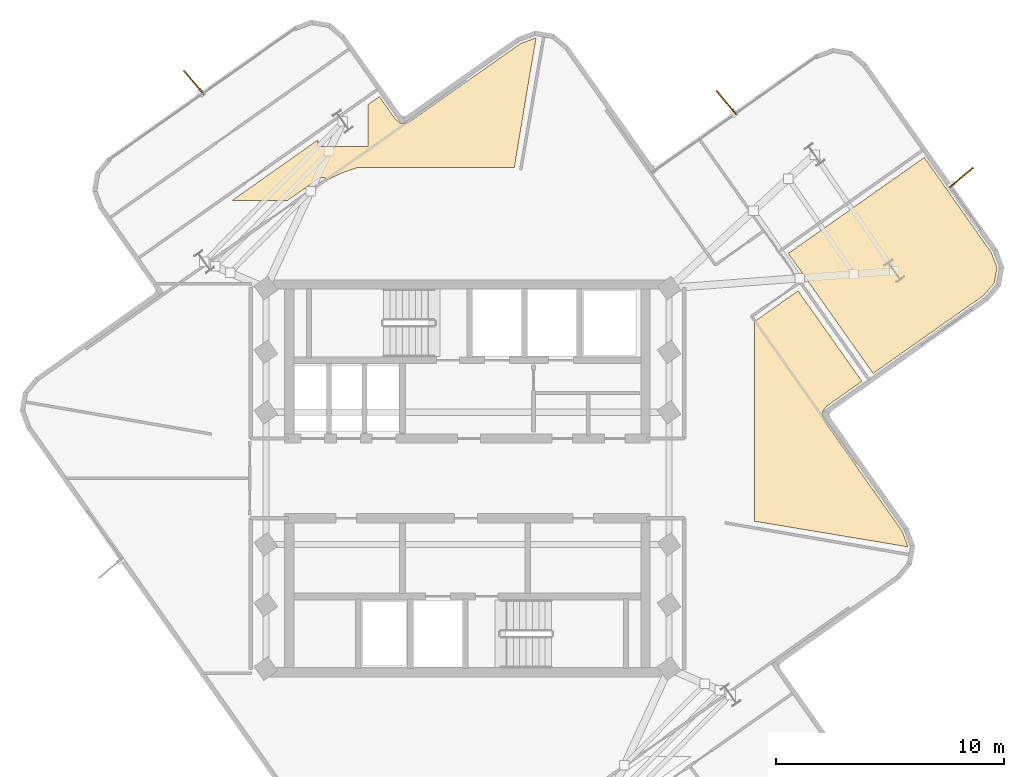
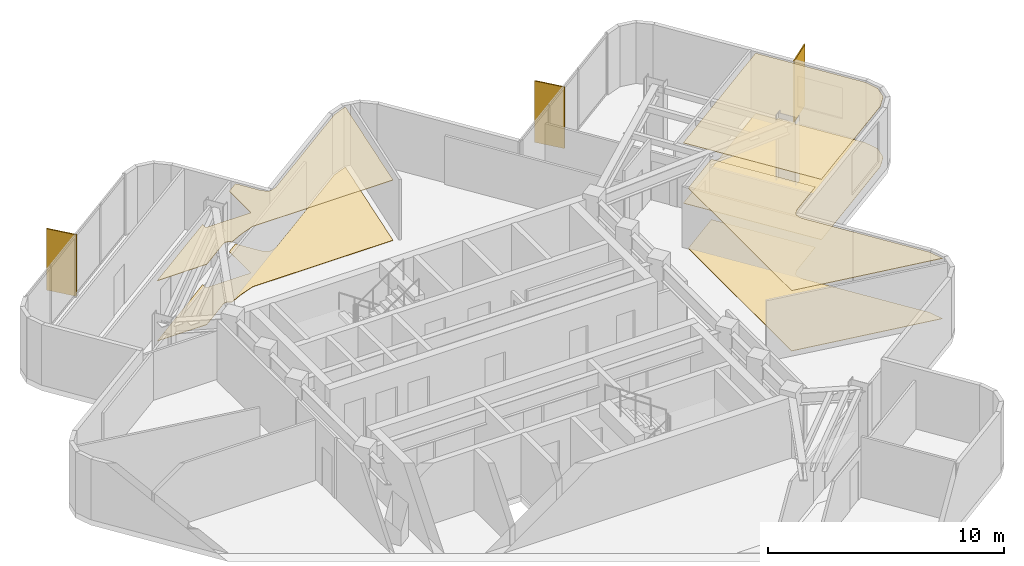
# One storey, part 8 of 8: 6 coverings, 3 shading devices.
"""IFC4 building model written with IfcOpenShell, lengths in metres."""

from ifc_helpers import new_model, si_unit, direction, frame, origin, origin_2d, place, context, subcontext, project, spatial, polyline, rectangle, outline, extrude, material, layer, layer_set, type_object, element, save


model = new_model("IFC4")

# Units and contexts
model_context = context("Model", 3, precision=1e-05, world=origin(), true_north=direction((0.0, 1.0)))
body_context = subcontext(model_context, "Body", "Model", "MODEL_VIEW")
ifc_project = project(units=[si_unit("LENGTHUNIT", "METRE"), si_unit("AREAUNIT", "SQUARE_METRE"), si_unit("VOLUMEUNIT", "CUBIC_METRE"), si_unit("PLANEANGLEUNIT", "RADIAN"), si_unit("MASSUNIT", "GRAM", prefix="KILO")], contexts=[model_context])

# Site, building, storey
site_placement = place(None, origin())
site = spatial("IfcSite", under=ifc_project, at=site_placement, CompositionType="ELEMENT")
building_placement = place(site_placement, origin())
building = spatial("IfcBuilding", under=site, at=building_placement, Name="Solmarez Civic Tower", CompositionType="ELEMENT")
storey_placement = place(building_placement, frame((0.0, 0.0, 225.719970703125)))
storey = spatial("IfcBuildingStorey", under=building, at=storey_placement, Name="L60", CompositionType="ELEMENT", Elevation=225.719970703125)

# Coverings
ifc_material_1 = material(Name="Perforated Mineral-Fibre Acoustic Ceiling")
ifc_layer_1 = layer(ifc_material_1, 0.02490234375)
ifc_layer_set_1 = layer_set([ifc_layer_1], Name="Perforated Mineral-Fibre Acoustic Ceiling")
covering_type_1 = type_object("IfcCoveringType", Name="COV-CEIL-ACOUSTIC", PredefinedType="CEILING", material=ifc_layer_set_1)
covering_1_placement = place(storey_placement, frame((0.0, 0.0, 3.114990234375)))
element("IfcCovering", 1, at=covering_1_placement, inside=storey, type_object=covering_type_1, Name="L60 Suspended Acoustic Ceiling 1", PredefinedType="CEILING", context=body_context, shape_type="SweptSolid", body=[
    extrude(outline(polyline([(-10.323974609375, 12.199951171875), (-7.89404296875, 12.199951171875), (-6.528076171875, 13.1640625), (-6.510009765625, 13.175048828125), (-6.489990234375, 13.18505859375), (-6.48095703125, 13.18896484375), (-6.47412109375, 13.19189453125), (-6.468994140625, 13.194091796875), (-6.448974609375, 13.200927734375), (-6.428955078125, 13.2060546875), (-6.408935546875, 13.208984375), (-6.39892578125, 13.2099609375), (-6.3759765625, 13.2109375), (-6.35302734375, 13.2099609375), (-6.343994140625, 13.208984375), (-6.324951171875, 13.2060546875), (-6.320068359375, 13.205078125), (-6.29296875, 13.197998046875), (-6.283935546875, 13.195068359375), (-6.261962890625, 13.18603515625), (-6.240966796875, 13.175048828125), (-6.236083984375, 13.172119140625), (-6.219970703125, 13.160888671875), (-6.2060546875, 13.14990234375), (-6.198974609375, 13.14404296875), (-6.18603515625, 13.133056640625), (-6.178955078125, 13.1259765625), (-6.1669921875, 13.112060546875), (-6.156005859375, 13.097900390625), (-5.552978515625, 13.384033203125), (-5.532958984375, 13.39208984375), (-4.85107421875, 13.635986328125), (-4.844970703125, 13.637939453125), (-4.818115234375, 13.64501953125), (-4.81298828125, 13.64599609375), (-4.7919921875, 13.64892578125), (-4.77001953125, 13.64990234375), (2.05810546875, 13.64990234375), (3.007080078125, 19.330078125), (3.0, 19.3310546875), (2.3349609375, 19.0869140625), (-2.485107421875, 15.68505859375), (-2.489990234375, 15.681884765625), (-2.49609375, 15.677978515625), (-2.52001953125, 15.6640625), (-2.52587890625, 15.660888671875), (-2.5439453125, 15.653076171875), (-2.56005859375, 15.64794921875), (-2.715087890625, 15.590087890625), (-2.73193359375, 15.583984375), (-2.739013671875, 15.58203125), (-2.74609375, 15.5810546875), (-2.75390625, 15.5791015625), (-2.77587890625, 15.573974609375), (-2.782958984375, 15.572998046875), (-2.81396484375, 15.571044921875), (-2.822021484375, 15.571044921875), (-2.84912109375, 15.572998046875), (-2.861083984375, 15.573974609375), (-2.867919921875, 15.574951171875), (-2.89697265625, 15.5810546875), (-2.904052734375, 15.5830078125), (-2.9208984375, 15.589111328125), (-2.928955078125, 15.592041015625), (-2.949951171875, 15.60107421875), (-2.9560546875, 15.60400390625), (-2.967041015625, 15.610107421875), (-2.97412109375, 15.614013671875), (-2.989990234375, 15.6240234375), (-3.006103515625, 15.635986328125), (-3.011962890625, 15.64111328125), (-3.14404296875, 15.7509765625), (-3.158935546875, 15.763916015625), (-3.1640625, 15.76904296875), (-3.1689453125, 15.77392578125), (-3.18505859375, 15.79296875), (-3.18896484375, 15.798095703125), (-3.197021484375, 15.80810546875), (-3.864990234375, 16.7548828125), (-4.367919921875, 16.40087890625), (-4.367919921875, 14.571044921875), (-6.568115234375, 14.571044921875), (-6.568115234375, 14.84912109375), (-10.323974609375, 12.199951171875)])), origin(), (0.0, 0.0, 1.0), 0.025146484375),
])
covering_2_placement = place(storey_placement, frame((0.0, 0.0, 3.114990234375)))
element("IfcCovering", 2, at=covering_2_placement, inside=storey, type_object=covering_type_1, Name="L60 Suspended Acoustic Ceiling 3", PredefinedType="CEILING", context=body_context, shape_type="SweptSolid", body=[
    extrude(outline(polyline([(12.60009765625, 6.881103515625), (12.60009765625, -1.883056640625), (19.330078125, -3.007080078125), (19.3310546875, -3.0), (19.0869140625, -2.3349609375), (15.68505859375, 2.485107421875), (15.681884765625, 2.489990234375), (15.677978515625, 2.49609375), (15.6640625, 2.52001953125), (15.660888671875, 2.52587890625), (15.653076171875, 2.5439453125), (15.64794921875, 2.56005859375), (15.590087890625, 2.715087890625), (15.583984375, 2.73193359375), (15.58203125, 2.739013671875), (15.5810546875, 2.74609375), (15.5791015625, 2.75390625), (15.573974609375, 2.77587890625), (15.572998046875, 2.782958984375), (15.571044921875, 2.81396484375), (15.571044921875, 2.822021484375), (15.572998046875, 2.84912109375), (15.573974609375, 2.861083984375), (15.574951171875, 2.867919921875), (15.5810546875, 2.89697265625), (15.5830078125, 2.904052734375), (15.589111328125, 2.9208984375), (15.592041015625, 2.928955078125), (15.60107421875, 2.949951171875), (15.60400390625, 2.9560546875), (15.610107421875, 2.967041015625), (15.614013671875, 2.97412109375), (15.6240234375, 2.989990234375), (15.635986328125, 3.006103515625), (15.64111328125, 3.011962890625), (15.7509765625, 3.14404296875), (15.763916015625, 3.158935546875), (15.76904296875, 3.1640625), (15.77392578125, 3.1689453125), (15.79296875, 3.18505859375), (15.798095703125, 3.18896484375), (15.80810546875, 3.197021484375), (17.31103515625, 4.257080078125), (14.510009765625, 8.22802734375), (12.60009765625, 6.881103515625)])), origin(), (0.0, 0.0, 1.0), 0.025146484375),
])
covering_3_placement = place(storey_placement, frame((0.0, 0.0, 3.114990234375)))
element("IfcCovering", 3, at=covering_3_placement, inside=storey, type_object=covering_type_1, Name="L60 Suspended Acoustic Ceiling 4", PredefinedType="CEILING", context=body_context, shape_type="SweptSolid", body=[
    extrude(outline(polyline([(17.802001953125, 4.60400390625), (22.672119140625, 8.0390625), (23.125, 8.5830078125), (23.239013671875, 9.240966796875), (22.9951171875, 9.906005859375), (20.049072265625, 14.0810546875), (14.083984375, 9.8740234375), (17.802001953125, 4.60400390625)])), origin(), (0.0, 0.0, 1.0), 0.025146484375),
])
ifc_material_2 = material(Name="Polished Tropical Stone Terrazzo Flooring", Category="masonry")
ifc_layer_2 = layer(ifc_material_2, 0.02001953125)
ifc_layer_set_2 = layer_set([ifc_layer_2], Name="Polished Tropical Stone Terrazzo Flooring")
covering_type_2 = type_object("IfcCoveringType", Name="COV-FLOOR-TERRAZZO", PredefinedType="FLOORING", material=ifc_layer_set_2)
covering_4_placement = place(storey_placement, origin())
element("IfcCovering", 4, at=covering_4_placement, inside=storey, type_object=covering_type_2, Name="L60 Terrazzo Floor Finish 1", PredefinedType="FLOORING", context=body_context, shape_type="SweptSolid", body=[
    extrude(outline(polyline([(-10.323974609375, 12.199951171875), (-7.89404296875, 12.199951171875), (-6.528076171875, 13.1640625), (-6.510009765625, 13.175048828125), (-6.489990234375, 13.18505859375), (-6.48095703125, 13.18896484375), (-6.47412109375, 13.19189453125), (-6.468994140625, 13.194091796875), (-6.448974609375, 13.200927734375), (-6.428955078125, 13.2060546875), (-6.408935546875, 13.208984375), (-6.39892578125, 13.2099609375), (-6.3759765625, 13.2109375), (-6.35302734375, 13.2099609375), (-6.343994140625, 13.208984375), (-6.324951171875, 13.2060546875), (-6.320068359375, 13.205078125), (-6.29296875, 13.197998046875), (-6.283935546875, 13.195068359375), (-6.261962890625, 13.18603515625), (-6.240966796875, 13.175048828125), (-6.236083984375, 13.172119140625), (-6.219970703125, 13.160888671875), (-6.2060546875, 13.14990234375), (-6.198974609375, 13.14404296875), (-6.18603515625, 13.133056640625), (-6.178955078125, 13.1259765625), (-6.1669921875, 13.112060546875), (-6.156005859375, 13.097900390625), (-5.552978515625, 13.384033203125), (-5.532958984375, 13.39208984375), (-4.85107421875, 13.635986328125), (-4.844970703125, 13.637939453125), (-4.818115234375, 13.64501953125), (-4.81298828125, 13.64599609375), (-4.7919921875, 13.64892578125), (-4.77001953125, 13.64990234375), (2.05810546875, 13.64990234375), (3.007080078125, 19.330078125), (3.0, 19.3310546875), (2.3349609375, 19.0869140625), (-2.485107421875, 15.68505859375), (-2.489990234375, 15.681884765625), (-2.49609375, 15.677978515625), (-2.52001953125, 15.6640625), (-2.52587890625, 15.660888671875), (-2.5439453125, 15.653076171875), (-2.56005859375, 15.64794921875), (-2.715087890625, 15.590087890625), (-2.73193359375, 15.583984375), (-2.739013671875, 15.58203125), (-2.74609375, 15.5810546875), (-2.75390625, 15.5791015625), (-2.77587890625, 15.573974609375), (-2.782958984375, 15.572998046875), (-2.81396484375, 15.571044921875), (-2.822021484375, 15.571044921875), (-2.84912109375, 15.572998046875), (-2.861083984375, 15.573974609375), (-2.867919921875, 15.574951171875), (-2.89697265625, 15.5810546875), (-2.904052734375, 15.5830078125), (-2.9208984375, 15.589111328125), (-2.928955078125, 15.592041015625), (-2.949951171875, 15.60107421875), (-2.9560546875, 15.60400390625), (-2.967041015625, 15.610107421875), (-2.97412109375, 15.614013671875), (-2.989990234375, 15.6240234375), (-3.006103515625, 15.635986328125), (-3.011962890625, 15.64111328125), (-3.14404296875, 15.7509765625), (-3.158935546875, 15.763916015625), (-3.1640625, 15.76904296875), (-3.1689453125, 15.77392578125), (-3.18505859375, 15.79296875), (-3.18896484375, 15.798095703125), (-3.197021484375, 15.80810546875), (-3.864990234375, 16.7548828125), (-4.367919921875, 16.40087890625), (-4.367919921875, 14.571044921875), (-6.568115234375, 14.571044921875), (-6.568115234375, 14.84912109375), (-10.323974609375, 12.199951171875)])), origin(), (0.0, 0.0, 1.0), 0.02001953125),
])
covering_5_placement = place(storey_placement, origin())
element("IfcCovering", 5, at=covering_5_placement, inside=storey, type_object=covering_type_2, Name="L60 Terrazzo Floor Finish 3", PredefinedType="FLOORING", context=body_context, shape_type="SweptSolid", body=[
    extrude(outline(polyline([(12.60009765625, 6.881103515625), (12.60009765625, -1.883056640625), (19.330078125, -3.007080078125), (19.3310546875, -3.0), (19.0869140625, -2.3349609375), (15.68505859375, 2.485107421875), (15.681884765625, 2.489990234375), (15.677978515625, 2.49609375), (15.6640625, 2.52001953125), (15.660888671875, 2.52587890625), (15.653076171875, 2.5439453125), (15.64794921875, 2.56005859375), (15.590087890625, 2.715087890625), (15.583984375, 2.73193359375), (15.58203125, 2.739013671875), (15.5810546875, 2.74609375), (15.5791015625, 2.75390625), (15.573974609375, 2.77587890625), (15.572998046875, 2.782958984375), (15.571044921875, 2.81396484375), (15.571044921875, 2.822021484375), (15.572998046875, 2.84912109375), (15.573974609375, 2.861083984375), (15.574951171875, 2.867919921875), (15.5810546875, 2.89697265625), (15.5830078125, 2.904052734375), (15.589111328125, 2.9208984375), (15.592041015625, 2.928955078125), (15.60107421875, 2.949951171875), (15.60400390625, 2.9560546875), (15.610107421875, 2.967041015625), (15.614013671875, 2.97412109375), (15.6240234375, 2.989990234375), (15.635986328125, 3.006103515625), (15.64111328125, 3.011962890625), (15.7509765625, 3.14404296875), (15.763916015625, 3.158935546875), (15.76904296875, 3.1640625), (15.77392578125, 3.1689453125), (15.79296875, 3.18505859375), (15.798095703125, 3.18896484375), (15.80810546875, 3.197021484375), (17.31103515625, 4.257080078125), (14.510009765625, 8.22802734375), (12.60009765625, 6.881103515625)])), origin(), (0.0, 0.0, 1.0), 0.02001953125),
])
covering_6_placement = place(storey_placement, origin())
element("IfcCovering", 6, at=covering_6_placement, inside=storey, type_object=covering_type_2, Name="L60 Terrazzo Floor Finish 4", PredefinedType="FLOORING", context=body_context, shape_type="SweptSolid", body=[
    extrude(outline(polyline([(17.802001953125, 4.60400390625), (22.672119140625, 8.0390625), (23.125, 8.5830078125), (23.239013671875, 9.240966796875), (22.9951171875, 9.906005859375), (20.049072265625, 14.0810546875), (14.083984375, 9.8740234375), (17.802001953125, 4.60400390625)])), origin(), (0.0, 0.0, 1.0), 0.02001953125),
])

# Shading devices
ifc_material_3 = material(Name="Bronze Anodised Aluminium EN AW-6063 T6", Category="aluminium")
ifc_layer_3 = layer(ifc_material_3, 0.054931640625)
ifc_layer_set_3 = layer_set([ifc_layer_3], Name="Bronze Anodised Aluminium EN AW-6063 T6")
shading_device_type = type_object("IfcShadingDeviceType", Name="FIN-BRONZE-Z56", PredefinedType="USERDEFINED", material=ifc_layer_set_3)
for number, where, z_axis, x_axis, name in (
    (7, (-12.012939453125, 17.376953125, -0.0400390625), (0.0, 0.0, 1.0), (-0.642011820607, 0.766694738603, 0.0), "L60 Anodised Bronze Solar Fin FIN-L60-02"),
    (8, (11.363037109375, 16.490966796875, -0.0400390625), (0.0, 0.0, 1.0), (-0.642011820607, 0.766694738603, 0.0), "L60 Anodised Bronze Solar Fin FIN-L60-03"),
    (9, (21.677978515625, 13.202880859375, -0.0400390625), (0.0, 0.0, 1.0), (0.766694738603, 0.642011820607, 0.0), "L60 Anodised Bronze Solar Fin FIN-L60-04"),
):
    element("IfcShadingDevice", number, at=place(storey_placement, frame(where, z_axis=z_axis, x_axis=x_axis)), inside=storey, type_object=shading_device_type, Name=name, ObjectType="FIN", PredefinedType="USERDEFINED", context=body_context, shape_type="SweptSolid", body=[
        extrude(rectangle(XDim=1.35009765625, YDim=0.054931640625, at=origin_2d()), origin(), (0.0, 0.0, 1.0), 3.179931640625),
    ])

save(model, "model.ifc")
